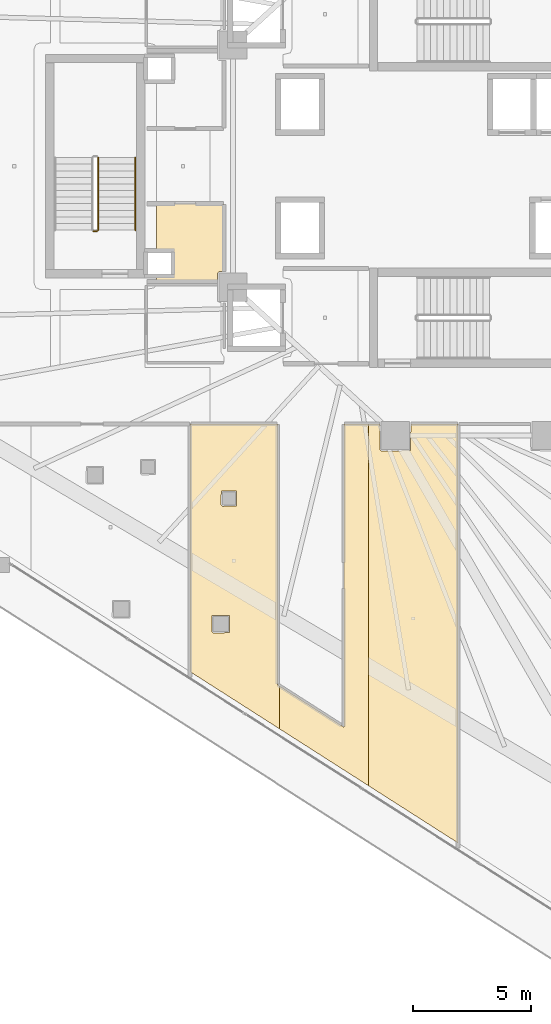
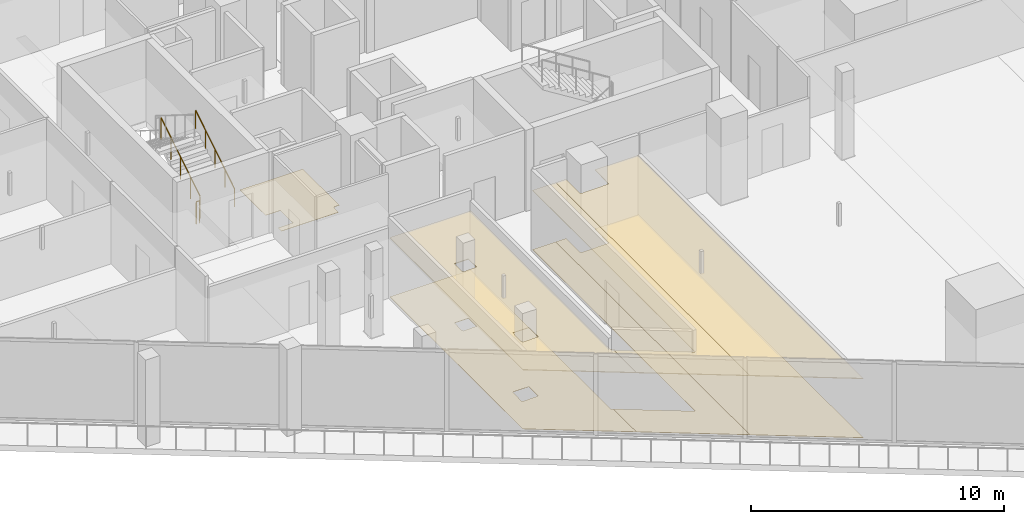
# One storey, part 37 of 44: 7 coverings, 3 railings.
"""IFC4 building model written with IfcOpenShell, lengths in metres."""

import ifcopenshell
import ifcopenshell.guid

model = None  # the IFC model being written
_history = None  # IfcOwnerHistory: only IFC2X3 demands one
_inside = {}  # id of a spatial element -> (the spatial element, [elements in it])
_under = {}  # id of a project, library or spatial element -> (it, [spatial elements below it])
_declared = {}  # id of a project -> (the project, [libraries it declares])
_typed = {}  # id of a type object -> (the type object, [elements of that type])
_made_of = {}  # id of a material, layer set ... -> (it, [elements and type objects made of it])


def new_model(schema):
    """Start an empty IFC model of exactly this schema.

    Asked for "IFC4X3", IfcOpenShell would pick the latest addendum, in which some entities
    have other attributes; the version numbers below select the first issue.
    IFC2X3 requires an IfcOwnerHistory on every rooted entity: one is made here for all.
    """
    global model, _history
    if schema == "IFC4X3":
        model = ifcopenshell.file(schema_version=(4, 3, 0, 0))
    else:
        model = ifcopenshell.file(schema=schema)
    _inside.clear()
    _under.clear()
    _declared.clear()
    _typed.clear()
    _made_of.clear()
    _history = None
    if model.schema == "IFC2X3":
        org = make("IfcOrganization", Name="unknown")
        user = make(
            "IfcPersonAndOrganization",
            ThePerson=make("IfcPerson", FamilyName="unknown"),
            TheOrganization=org,
        )
        app = make(
            "IfcApplication",
            ApplicationDeveloper=org,
            Version="unknown",
            ApplicationFullName="unknown",
            ApplicationIdentifier="unknown",
        )
        _history = make(
            "IfcOwnerHistory",
            OwningUser=user,
            OwningApplication=app,
            ChangeAction="ADDED",
            CreationDate=0,
        )
    return model


def make(cls, **values):
    """One entity of the class cls with the attributes given. An attribute that is None is left unset."""
    return model.create_entity(
        cls, **{name: value for name, value in values.items() if value is not None}
    )


def rooted(cls, **values):
    """An entity with a GlobalId (a new one), such as an element, a storey or a relation."""
    return make(cls, GlobalId=ifcopenshell.guid.new(), OwnerHistory=_history, **values)


def si_unit(unit_type, name, prefix=None):
    """IfcSIUnit, for example si_unit("LENGTHUNIT", "METRE", prefix="MILLI")."""
    return make("IfcSIUnit", UnitType=unit_type, Prefix=prefix, Name=name)


def assignment(units):
    """IfcUnitAssignment: the units of a project."""
    return None if units is None else make("IfcUnitAssignment", Units=units)


def point(xyz):
    """IfcCartesianPoint."""
    return None if xyz is None else make("IfcCartesianPoint", Coordinates=xyz)


def direction(xyz):
    """IfcDirection."""
    return None if xyz is None else make("IfcDirection", DirectionRatios=xyz)


def frame(location, z_axis=None, x_axis=None):
    """IfcAxis2Placement3D, a coordinate frame: its origin and axes. An axis left out is left unset."""
    return make(
        "IfcAxis2Placement3D",
        Location=point(location),
        Axis=direction(z_axis),
        RefDirection=direction(x_axis),
    )


def frame_2d(location, x_axis=None):
    """IfcAxis2Placement2D, a coordinate frame in the plane: its origin and x axis."""
    return make(
        "IfcAxis2Placement2D", Location=point(location), RefDirection=direction(x_axis)
    )


def origin():
    """The frame at (0, 0, 0) with its axes left unset."""
    return frame((0.0, 0.0, 0.0))


def origin_2d():
    """The frame at (0, 0) in the plane with its x axis left unset."""
    return frame_2d((0.0, 0.0))


def place(relative_to, where):
    """IfcLocalPlacement: puts the frame where relative to a parent placement (None: the world)."""
    return make(
        "IfcLocalPlacement", PlacementRelTo=relative_to, RelativePlacement=where
    )


def context(
    kind, dimensions, precision=None, world=None, true_north=None, identifier=None
):
    """IfcGeometricRepresentationContext, for example the 3D "Model" context."""
    return make(
        "IfcGeometricRepresentationContext",
        ContextIdentifier=identifier,
        ContextType=kind,
        CoordinateSpaceDimension=dimensions,
        Precision=precision,
        WorldCoordinateSystem=world,
        TrueNorth=true_north,
    )


def subcontext(parent, identifier, kind, view, scale=None):
    """IfcGeometricRepresentationSubContext, for example "Body" below "Model"."""
    return make(
        "IfcGeometricRepresentationSubContext",
        ContextIdentifier=identifier,
        ContextType=kind,
        ParentContext=parent,
        TargetScale=scale,
        TargetView=view,
    )


def project(units=None, contexts=None):
    """IfcProject with its units and contexts."""
    return rooted(
        "IfcProject",
        Name="project",
        RepresentationContexts=contexts,
        UnitsInContext=assignment(units),
    )


def spatial(cls, under=None, at=None, **own):
    """A site, building, storey or space (cls), placed at a placement, below another one or the project."""
    s = rooted(cls, ObjectPlacement=at, **own)
    if under is not None:
        _under.setdefault(under.id(), (under, []))[1].append(s)
    return s


def polyline(points):
    """IfcPolyline through the points."""
    return make("IfcPolyline", Points=[point(p) for p in points])


def profile(cls, at=None, kind="AREA", **sizes):
    """A parametric profile (cls). Its sizes go by their IFC names, for example OverallWidth=200.0."""
    return make(cls, ProfileType=kind, Position=at, **sizes)


def circle(**sizes):
    """IfcCircleProfileDef."""
    return profile("IfcCircleProfileDef", **sizes)


def outline(outer, holes=None, kind="AREA"):
    """IfcArbitraryClosedProfileDef: a profile drawn as a closed curve; with holes, ...WithVoids."""
    if holes is None:
        return make("IfcArbitraryClosedProfileDef", ProfileType=kind, OuterCurve=outer)
    return make(
        "IfcArbitraryProfileDefWithVoids",
        ProfileType=kind,
        OuterCurve=outer,
        InnerCurves=holes,
    )


def extrude(swept, where, along, depth):
    """IfcExtrudedAreaSolid: the profile swept, set in the frame where, extruded along a direction by depth."""
    return make(
        "IfcExtrudedAreaSolid",
        SweptArea=swept,
        Position=where,
        ExtrudedDirection=direction(along),
        Depth=depth,
    )


def shape(context_of_items, identifier, shape_type, items):
    """IfcShapeRepresentation: the items that make up one representation, for example the "Body"."""
    return make(
        "IfcShapeRepresentation",
        ContextOfItems=context_of_items,
        RepresentationIdentifier=identifier,
        RepresentationType=shape_type,
        Items=items,
    )


def material(Name=None, Category=None):
    """IfcMaterial."""
    return make("IfcMaterial", Name=Name, Category=Category)


def layer(
    of_material, thickness, ventilated=None, Name=None, Category=None, Priority=None
):
    """IfcMaterialLayer: one layer of a wall or slab, of a material (None: an air gap)."""
    return make(
        "IfcMaterialLayer",
        Material=of_material,
        LayerThickness=thickness,
        IsVentilated=ventilated,
        Name=Name,
        Category=Category,
        Priority=Priority,
    )


def layer_set(layers, Name=None):
    """IfcMaterialLayerSet."""
    return make("IfcMaterialLayerSet", MaterialLayers=layers, LayerSetName=Name)


def made_of(thing, what):
    """Note that an element or type object is made of a material, layer set ...; save() writes the relation."""
    if what is not None:
        _made_of.setdefault(what.id(), (what, []))[1].append(thing)
    return thing


def type_object(cls, material=None, **own):
    """A type object (cls), such as IfcWallType, which elements share."""
    return made_of(rooted(cls, **own), material)


def element(
    cls,
    number,
    at=None,
    inside=None,
    cuts=None,
    type_object=None,
    material=None,
    context=None,
    identifier="Body",
    shape_type=None,
    held_by="IfcProductDefinitionShape",
    body=None,
    shapes=None,
    **own,
):
    """One element of the class cls, such as IfcWall. Its Tag is "e" and its number.

    at: its placement. inside: the storey or other place that contains it. cuts: it is an
    opening in that element (IfcRelVoidsElement). A single representation is given by context,
    identifier, shape_type and body (its items); several are given by shapes. held_by: the class
    of the entity that holds the representations. save() writes the other relations.
    """
    e = rooted(cls, Tag="e%d" % number, ObjectPlacement=at, **own)
    if body is not None:
        shapes = [shape(context, identifier, shape_type, body)]
    if shapes is not None:
        e.Representation = make(held_by, Representations=shapes)
    if inside is not None:
        _inside.setdefault(inside.id(), (inside, []))[1].append(e)
    if cuts is not None:
        rooted(
            "IfcRelVoidsElement", RelatingBuildingElement=cuts, RelatedOpeningElement=e
        )
    if type_object is not None:
        _typed.setdefault(type_object.id(), (type_object, []))[1].append(e)
    return made_of(e, material)


def aggregate(whole, parts):
    """IfcRelAggregates: a whole, such as a stair, and the parts it consists of."""
    return rooted("IfcRelAggregates", RelatingObject=whole, RelatedObjects=parts)


def save(model, path):
    """Write the relations noted so far, then the file.

    IfcRelAggregates (storeys below a building ...), IfcRelContainedInSpatialStructure (elements
    in a storey), IfcRelDefinesByType, IfcRelAssociatesMaterial and IfcRelDeclares: one each for
    every whole, place, type object, material and project.
    """
    for whole, parts in _under.values():
        aggregate(whole, parts)
    for where, things in _inside.values():
        rooted(
            "IfcRelContainedInSpatialStructure",
            RelatedElements=things,
            RelatingStructure=where,
        )
    for kind, things in _typed.values():
        rooted("IfcRelDefinesByType", RelatedObjects=things, RelatingType=kind)
    for what, things in _made_of.values():
        rooted("IfcRelAssociatesMaterial", RelatedObjects=things, RelatingMaterial=what)
    for by, libraries in _declared.values():
        rooted("IfcRelDeclares", RelatingContext=by, RelatedDefinitions=libraries)
    model.write(path)


model = new_model("IFC4")

# Units and contexts
model_context = context("Model", 3, precision=1e-05, world=origin(), true_north=direction((0.0, 1.0)))
body_context = subcontext(model_context, "Body", "Model", "MODEL_VIEW")
ifc_project = project(units=[si_unit("LENGTHUNIT", "METRE"), si_unit("AREAUNIT", "SQUARE_METRE"), si_unit("VOLUMEUNIT", "CUBIC_METRE"), si_unit("PLANEANGLEUNIT", "RADIAN"), si_unit("MASSUNIT", "GRAM", prefix="KILO")], contexts=[model_context])

# Site, building, storey
site_placement = place(None, origin())
site = spatial("IfcSite", under=ifc_project, at=site_placement, CompositionType="ELEMENT")
building_placement = place(site_placement, origin())
building = spatial("IfcBuilding", under=site, at=building_placement, Name="Qorvath Tower", CompositionType="ELEMENT")
storey_placement = place(building_placement, frame((0.0, 0.0, 57.60009765625)))
storey = spatial("IfcBuildingStorey", under=building, at=storey_placement, Name="L12", CompositionType="ELEMENT", Elevation=57.60009765625)

# Coverings
ifc_material_1 = material(Name="Acoustic mineral fibre ceiling tile", Category="gypsum")
ifc_layer_1 = layer(ifc_material_1, 0.030029296875)
ifc_layer_set_1 = layer_set([ifc_layer_1], Name="COV-CEIL")
covering_type_1 = type_object("IfcCoveringType", Name="COV-CEIL", PredefinedType="CEILING", material=ifc_layer_set_1)
covering_1_placement = place(storey_placement, frame((0.0, 0.0, 2.849853515625)))
element("IfcCovering", 1, at=covering_1_placement, inside=storey, type_object=covering_type_1, Name="L12 Suspended Acoustic Ceiling 024", PredefinedType="CEILING", context=body_context, shape_type="SweptSolid", body=[
    extrude(outline(polyline([(-28.522705078125, -23.917724609375), (-28.522705078125, -22.0966796875), (-28.613037109375, -22.0390625), (-28.613037109375, -10.962890625), (-32.313720703125, -10.962890625), (-32.313720703125, -21.494873046875), (-28.522705078125, -23.917724609375)]), holes=[polyline([(-31.01220703125, -14.3994140625), (-30.99462890625, -13.806884765625), (-30.35986328125, -13.806884765625), (-30.35986328125, -14.441650390625), (-30.9521484375, -14.459228515625), (-31.01220703125, -14.3994140625)]), polyline([(-31.401123046875, -19.785400390625), (-31.383544921875, -19.093017578125), (-30.648681640625, -19.093017578125), (-30.648681640625, -19.827880859375), (-31.341064453125, -19.845458984375), (-31.401123046875, -19.785400390625)])]), origin(), (0.0, 0.0, 1.0), 0.030029296875),
])
covering_2_placement = place(storey_placement, frame((0.0, 0.0, 2.849853515625)))
element("IfcCovering", 2, at=covering_2_placement, inside=storey, type_object=covering_type_1, Name="L12 Suspended Acoustic Ceiling 025", PredefinedType="CEILING", context=body_context, shape_type="SweptSolid", body=[
    extrude(outline(polyline([(-24.731689453125, -26.340576171875), (-24.731689453125, -10.962890625), (-25.787109375, -10.962890625), (-25.791259765625, -23.84375), (-28.522705078125, -22.0966796875), (-28.522705078125, -23.917724609375), (-24.731689453125, -26.340576171875)])), origin(), (0.0, 0.0, 1.0), 0.030029296875),
])
covering_3_placement = place(storey_placement, frame((0.0, 0.0, 2.849853515625)))
element("IfcCovering", 3, at=covering_3_placement, inside=storey, type_object=covering_type_1, Name="L12 Suspended Acoustic Ceiling 026", PredefinedType="CEILING", context=body_context, shape_type="SweptSolid", body=[
    extrude(outline(polyline([(-20.94091796875, -28.763427734375), (-20.94091796875, -10.962890625), (-22.93994140625, -10.962890625), (-22.95751953125, -12.092529296875), (-24.199951171875, -12.110107421875), (-24.260009765625, -12.050048828125), (-24.260009765625, -10.962890625), (-24.731689453125, -10.962890625), (-24.731689453125, -26.340576171875), (-20.94091796875, -28.763427734375)])), origin(), (0.0, 0.0, 1.0), 0.030029296875),
])
ifc_material_2 = material(Name="Low-VOC modular carpet tile", Category="textile")
ifc_layer_2 = layer(ifc_material_2, 0.014892578125)
ifc_layer_set_2 = layer_set([ifc_layer_2], Name="COV-FLOOR-CPT")
covering_type_2 = type_object("IfcCoveringType", Name="COV-FLOOR-CPT", PredefinedType="FLOORING", material=ifc_layer_set_2)
covering_4_placement = place(storey_placement, origin())
element("IfcCovering", 4, at=covering_4_placement, inside=storey, type_object=covering_type_2, Name="L12 Floor Finish 006", PredefinedType="FLOORING", context=body_context, shape_type="SweptSolid", body=[
    extrude(outline(polyline([(-30.885009765625, -4.489990234375), (-30.885009765625, -1.60498046875), (-33.760009765625, -1.60498046875), (-33.760009765625, -3.636962890625), (-33.08837890625, -3.638427734375), (-33.0869140625, -4.6279296875), (-33.760009765625, -4.633056640625), (-33.760009765625, -4.89501953125), (-31.159912109375, -4.89501953125), (-31.159912109375, -4.550048828125), (-31.10009765625, -4.489990234375), (-30.885009765625, -4.489990234375)])), origin(), (0.0, 0.0, 1.0), 0.014892578125),
])
covering_5_placement = place(storey_placement, origin())
element("IfcCovering", 5, at=covering_5_placement, inside=storey, type_object=covering_type_2, Name="L12 Floor Finish 024", PredefinedType="FLOORING", context=body_context, shape_type="SweptSolid", body=[
    extrude(outline(polyline([(-28.522705078125, -23.917724609375), (-28.522705078125, -22.0966796875), (-28.613037109375, -22.0390625), (-28.613037109375, -10.962890625), (-32.313720703125, -10.962890625), (-32.313720703125, -21.494873046875), (-28.522705078125, -23.917724609375)]), holes=[polyline([(-31.01220703125, -14.3994140625), (-30.99462890625, -13.806884765625), (-30.35986328125, -13.806884765625), (-30.35986328125, -14.441650390625), (-30.9521484375, -14.459228515625), (-31.01220703125, -14.3994140625)]), polyline([(-31.401123046875, -19.785400390625), (-31.383544921875, -19.093017578125), (-30.648681640625, -19.093017578125), (-30.648681640625, -19.827880859375), (-31.341064453125, -19.845458984375), (-31.401123046875, -19.785400390625)])]), origin(), (0.0, 0.0, 1.0), 0.014892578125),
])
covering_6_placement = place(storey_placement, origin())
element("IfcCovering", 6, at=covering_6_placement, inside=storey, type_object=covering_type_2, Name="L12 Floor Finish 025", PredefinedType="FLOORING", context=body_context, shape_type="SweptSolid", body=[
    extrude(outline(polyline([(-24.731689453125, -26.340576171875), (-24.731689453125, -10.962890625), (-25.787109375, -10.962890625), (-25.791259765625, -23.84375), (-28.522705078125, -22.0966796875), (-28.522705078125, -23.917724609375), (-24.731689453125, -26.340576171875)])), origin(), (0.0, 0.0, 1.0), 0.014892578125),
])
covering_7_placement = place(storey_placement, origin())
element("IfcCovering", 7, at=covering_7_placement, inside=storey, type_object=covering_type_2, Name="L12 Floor Finish 026", PredefinedType="FLOORING", context=body_context, shape_type="SweptSolid", body=[
    extrude(outline(polyline([(-20.94091796875, -28.763427734375), (-20.94091796875, -10.962890625), (-22.93994140625, -10.962890625), (-22.95751953125, -12.092529296875), (-24.199951171875, -12.110107421875), (-24.260009765625, -12.050048828125), (-24.260009765625, -10.962890625), (-24.731689453125, -10.962890625), (-24.731689453125, -26.340576171875), (-20.94091796875, -28.763427734375)])), origin(), (0.0, 0.0, 1.0), 0.014892578125),
])

# Railings
ifc_material_3 = material(Name="Painted galvanised steel", Category="steel")
railing_type_1 = type_object("IfcRailingType", Name="RL-STR-GRD", PredefinedType="GUARDRAIL", material=ifc_material_3)
railing_1_placement = place(storey_placement, frame((-36.22998046875, -2.719970703125, 0.1748046875)))
element("IfcRailing", 8, at=railing_1_placement, inside=storey, type_object=railing_type_1, Name="L12 TS3 stair guard 1", PredefinedType="GUARDRAIL", context=body_context, shape_type="SweptSolid", body=[
    extrude(circle(Radius=0.02392578125, at=origin_2d()), frame((0.0, 0.0, 1.076171875), z_axis=(0.0, 0.847998304005, 0.529998940003), x_axis=(-1.0, 0.0, 0.0)), (0.0, 0.0, 1.0), 3.632080078125),
    extrude(circle(Radius=0.02099609375, at=origin_2d()), origin(), (0.0, 0.0, 1.0), 1.052001953125),
    extrude(circle(Radius=0.02099609375, at=origin_2d()), frame((0.0, 0.77001953125, 0.481201171875)), (0.0, 0.0, 1.0), 1.052001953125),
    extrude(circle(Radius=0.02099609375, at=origin_2d()), frame((0.0, 1.5400390625, 0.96240234375)), (0.0, 0.0, 1.0), 1.052001953125),
    extrude(circle(Radius=0.02099609375, at=origin_2d()), frame((0.0, 2.31005859375, 1.44384765625)), (0.0, 0.0, 1.0), 1.052001953125),
    extrude(circle(Radius=0.02099609375, at=origin_2d()), frame((0.0, 3.080078125, 1.925048828125)), (0.0, 0.0, 1.0), 1.052001953125),
])
railing_2_placement = place(storey_placement, frame((-36.280029296875, -2.77001953125, 0.0)))
element("IfcRailing", 9, at=railing_2_placement, inside=storey, type_object=railing_type_1, Name="L12 TS3 stair guard 4", PredefinedType="GUARDRAIL", context=body_context, shape_type="SweptSolid", body=[
    extrude(circle(Radius=0.02392578125, at=origin_2d()), frame((0.0, 0.0, 1.076171875), z_axis=(-1.0, 0.0, 0.0), x_axis=(0.0, -1.0, 0.0)), (0.0, 0.0, 1.0), 0.14990234375),
    extrude(circle(Radius=0.02099609375, at=origin_2d()), origin(), (0.0, 0.0, 1.0), 1.052001953125),
    extrude(circle(Radius=0.02099609375, at=origin_2d()), frame((-0.14990234375, 0.0, 0.0)), (0.0, 0.0, 1.0), 1.052001953125),
])
ifc_material_4 = material(Name="Brushed stainless steel AISI 304", Category="steel")
railing_type_2 = type_object("IfcRailingType", Name="RL-STR-HND", PredefinedType="HANDRAIL", material=ifc_material_4)
railing_3_placement = place(storey_placement, frame((-34.64990234375, -2.719970703125, 0.1748046875)))
element("IfcRailing", 10, at=railing_3_placement, inside=storey, type_object=railing_type_2, Name="L12 TS3 stair handrail 1", PredefinedType="HANDRAIL", context=body_context, shape_type="SweptSolid", body=[
    extrude(circle(Radius=0.02392578125, at=origin_2d()), frame((0.0, 0.0, 0.8759765625), z_axis=(0.0, 0.847998304005, 0.529998940003), x_axis=(-1.0, 0.0, 0.0)), (0.0, 0.0, 1.0), 3.632080078125),
    extrude(circle(Radius=0.02099609375, at=origin_2d()), origin(), (0.0, 0.0, 1.0), 0.851806640625),
    extrude(circle(Radius=0.02099609375, at=origin_2d()), frame((0.0, 0.77001953125, 0.481201171875)), (0.0, 0.0, 1.0), 0.851806640625),
    extrude(circle(Radius=0.02099609375, at=origin_2d()), frame((0.0, 1.5400390625, 0.96240234375)), (0.0, 0.0, 1.0), 0.851806640625),
    extrude(circle(Radius=0.02099609375, at=origin_2d()), frame((0.0, 2.31005859375, 1.44384765625)), (0.0, 0.0, 1.0), 0.851806640625),
    extrude(circle(Radius=0.02099609375, at=origin_2d()), frame((0.0, 3.080078125, 1.925048828125)), (0.0, 0.0, 1.0), 0.851806640625),
])

save(model, "model.ifc")
